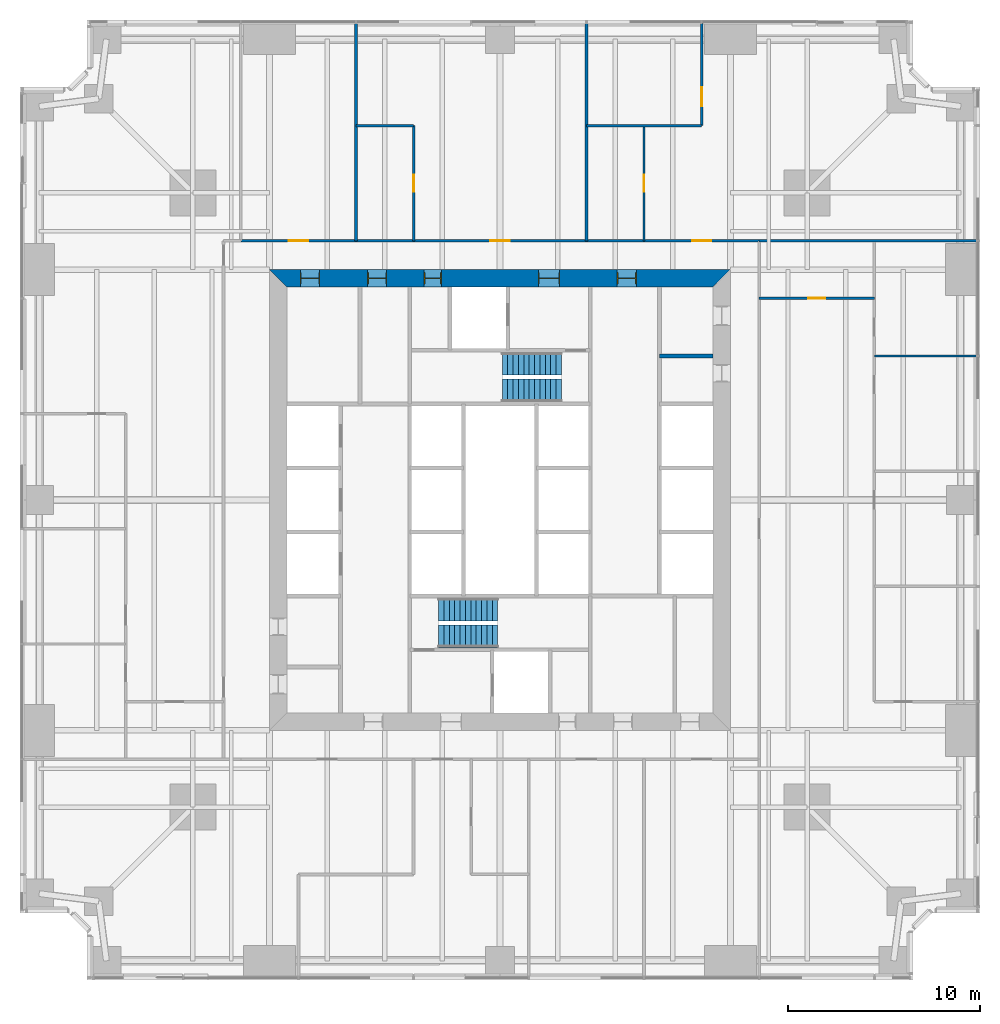
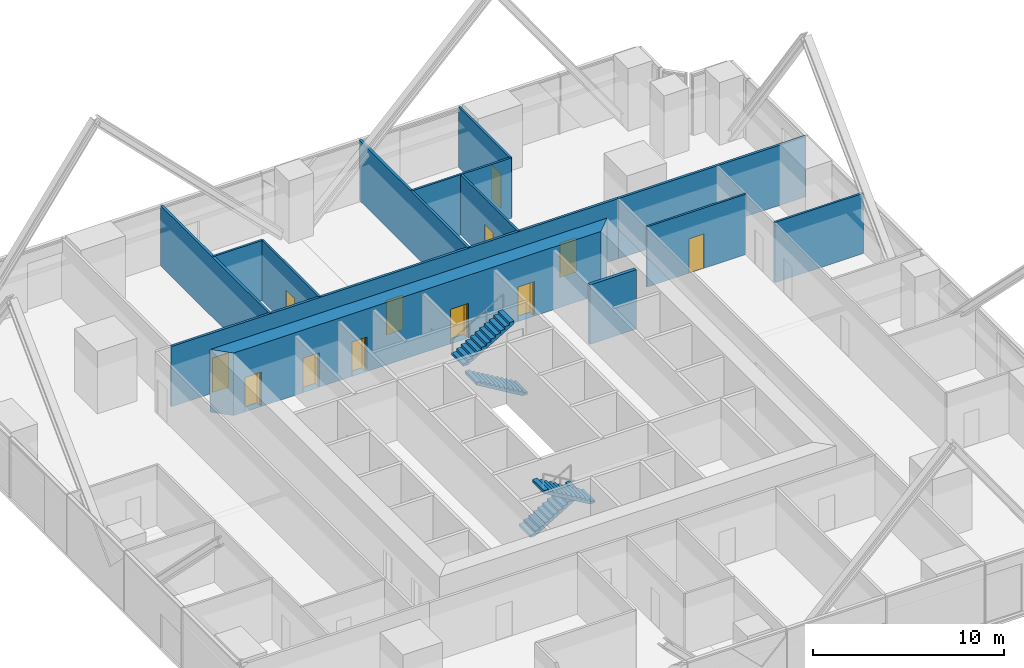
# One storey, part 11 of 13: 13 walls, 12 doors, 4 stair flights, 12 openings, 2 elements without a shape of their own.
"""IFC4 building model written with IfcOpenShell, lengths in metres."""

from ifc_helpers import new_model, si_unit, direction, frame, frame_2d, origin, place, context, subcontext, project, spatial, polyline, rectangle, outline, extrude, material, layer, layer_set, type_object, element, fill, aggregate, save


model = new_model("IFC4")

# Units and contexts
model_context = context("Model", 3, precision=1e-05, world=origin(), true_north=direction((0.0, 1.0)))
body_context = subcontext(model_context, "Body", "Model", "MODEL_VIEW")
ifc_project = project(units=[si_unit("LENGTHUNIT", "METRE"), si_unit("AREAUNIT", "SQUARE_METRE"), si_unit("VOLUMEUNIT", "CUBIC_METRE"), si_unit("PLANEANGLEUNIT", "RADIAN"), si_unit("MASSUNIT", "GRAM", prefix="KILO")], contexts=[model_context])

# Site, building, storey
site_placement = place(None, origin())
site = spatial("IfcSite", under=ifc_project, at=site_placement, CompositionType="ELEMENT")
building_placement = place(site_placement, origin())
building = spatial("IfcBuilding", under=site, at=building_placement, Name="Fenwick Lantern Interchange", CompositionType="ELEMENT")
storey_placement = place(building_placement, frame((0.0, 0.0, 43.0)))
storey = spatial("IfcBuildingStorey", under=building, at=storey_placement, Name="L09", CompositionType="ELEMENT", Elevation=43.0)

# Wall
ifc_material_1 = material(Name="Concrete masonry ASTM C90 Grade N", Category="masonry")
ifc_layer_1 = layer(ifc_material_1, 0.199951171875)
ifc_layer_set_1 = layer_set([ifc_layer_1], Name="Concrete masonry ASTM C90 Grade N")
wall_type_1 = type_object("IfcWallType", Name="CORE PARTITION 200", PredefinedType="PARTITIONING", material=ifc_layer_set_1)
wall_1_placement = place(storey_placement, frame((36.10009765625, 32.5, 0.0), z_axis=(0.0, 0.0, 1.0), x_axis=(-1.0, 0.0, 0.0)))
element("IfcWall", 1, at=wall_1_placement, inside=storey, type_object=wall_type_1, Name="L09/W/COREN/p1", PredefinedType="PARTITIONING", context=body_context, shape_type="SweptSolid", body=[
    extrude(rectangle(XDim=2.800048828125, YDim=0.199951171875, at=frame_2d((1.39990234375, 0.0))), origin(), (0.0, 0.0, 1.0), 3.800048828125),
])

# Wall, openings, doors
ifc_material_2 = material(Name="Concrete f'c 70 MPa", Category="concrete")
ifc_layer_2 = layer(ifc_material_2, 0.89990234375)
ifc_layer_set_2 = layer_set([ifc_layer_2], Name="CORE WALL 900")
wall_type_2 = type_object("IfcWallType", Name="CORE WALL 900", PredefinedType="SHEAR", material=ifc_layer_set_2)
wall_2_placement = place(storey_placement, frame((37.0, 36.550048828125, 0.0), z_axis=(0.0, 0.0, 1.0), x_axis=(-1.0, 0.0, 0.0)))
wall_2 = element("IfcWall", 2, at=wall_2_placement, inside=storey, type_object=wall_type_2, Name="L09/CORE/N", PredefinedType="SHEAR", context=body_context, shape_type="SweptSolid", body=[
    extrude(outline(polyline([(0.0, -0.449951171875), (24.0, -0.449951171875), (23.10009765625, 0.449951171875), (0.89990234375, 0.449951171875), (0.0, -0.449951171875)])), origin(), (0.0, 0.0, 1.0), 4.0),
])
opening_1_placement = place(wall_2_placement, frame((4.89990234375, 0.0, 0.0)))
opening_1 = element("IfcOpeningElement", 3, at=opening_1_placement, cuts=wall_2, Name="Opening L09-D009", PredefinedType="OPENING", context=body_context, shape_type="SweptSolid", body=[
    extrude(rectangle(XDim=1.0, YDim=2.199951171875, at=frame_2d((0.5, 1.10009765625))), frame((0.0, 0.4599609375, 0.0), z_axis=(0.0, -1.0, 0.0), x_axis=(1.0, 0.0, 0.0)), (0.0, 0.0, 1.0), 0.919921875),
])
opening_2_placement = place(wall_2_placement, frame((8.89990234375, 0.0, 0.0)))
opening_2 = element("IfcOpeningElement", 4, at=opening_2_placement, cuts=wall_2, Name="Opening L09-D010", PredefinedType="OPENING", context=body_context, shape_type="SweptSolid", body=[
    extrude(rectangle(XDim=1.10009765625, YDim=2.199951171875, at=frame_2d((0.550048828125, 1.10009765625))), frame((0.0, 0.4599609375, 0.0), z_axis=(0.0, -1.0, 0.0), x_axis=(1.0, 0.0, 0.0)), (0.0, 0.0, 1.0), 0.919921875),
])
opening_3_placement = place(wall_2_placement, frame((15.050048828125, 0.0, 0.0)))
opening_3 = element("IfcOpeningElement", 5, at=opening_3_placement, cuts=wall_2, Name="Opening L09-D012", PredefinedType="OPENING", context=body_context, shape_type="SweptSolid", body=[
    extrude(rectangle(XDim=0.89990234375, YDim=2.199951171875, at=frame_2d((0.449951171875, 1.10009765625))), frame((0.0, 0.4599609375, 0.0), z_axis=(0.0, -1.0, 0.0), x_axis=(1.0, 0.0, 0.0)), (0.0, 0.0, 1.0), 0.919921875),
])
opening_4_placement = place(wall_2_placement, frame((17.89990234375, 0.0, 0.0)))
opening_4 = element("IfcOpeningElement", 6, at=opening_4_placement, cuts=wall_2, Name="Opening L09-D013", PredefinedType="OPENING", context=body_context, shape_type="SweptSolid", body=[
    extrude(rectangle(XDim=1.0, YDim=2.199951171875, at=frame_2d((0.5, 1.10009765625))), frame((0.0, 0.4599609375, 0.0), z_axis=(0.0, -1.0, 0.0), x_axis=(1.0, 0.0, 0.0)), (0.0, 0.0, 1.0), 0.919921875),
])
opening_5_placement = place(wall_2_placement, frame((21.39990234375, 0.0, 0.0)))
opening_5 = element("IfcOpeningElement", 7, at=opening_5_placement, cuts=wall_2, Name="Opening L09-D014", PredefinedType="OPENING", context=body_context, shape_type="SweptSolid", body=[
    extrude(rectangle(XDim=1.0, YDim=2.199951171875, at=frame_2d((0.5, 1.10009765625))), frame((0.0, 0.4599609375, 0.0), z_axis=(0.0, -1.0, 0.0), x_axis=(1.0, 0.0, 0.0)), (0.0, 0.0, 1.0), 0.919921875),
])
ifc_material_3 = material(Name="Steel door and frame", Category="steel")
door_type_1 = type_object("IfcDoorType", Name="CORE LOBBY DOOR 1000 X 2200", OperationType="SINGLE_SWING_LEFT", PredefinedType="DOOR", material=ifc_material_3)
door_1_placement = place(opening_1_placement, origin())
door_1 = element("IfcDoor", 8, at=door_1_placement, inside=storey, type_object=door_type_1, Name="Core lobby door", OperationType="SINGLE_SWING_LEFT", OverallHeight=2.199951171875, OverallWidth=1.0, PredefinedType="DOOR", context=body_context, shape_type="SweptSolid", body=[
    extrude(rectangle(XDim=1.0, YDim=2.199951171875, at=frame_2d((0.5, 1.10009765625))), frame((0.0, 0.02490234375, 0.0), z_axis=(0.0, -1.0, 0.0), x_axis=(1.0, 0.0, 0.0)), (0.0, 0.0, 1.0), 0.050048828125),
    extrude(outline(polyline([(0.0, 0.0), (0.0400390625, 0.0), (0.0400390625, 2.159912109375), (0.9599609375, 2.159912109375), (0.9599609375, 0.0), (1.0, 0.0), (1.0, 2.199951171875), (0.0, 2.199951171875), (0.0, 0.0)])), frame((0.0, 0.300048828125, 0.0), z_axis=(0.0, -1.0, 0.0), x_axis=(1.0, 0.0, 0.0)), (0.0, 0.0, 1.0), 0.60009765625),
])
fill(opening_1, door_1)
door_type_2 = type_object("IfcDoorType", Name="FIRE LOBBY DOOR 1100 X 2200", OperationType="SINGLE_SWING_LEFT", PredefinedType="DOOR", material=ifc_material_3)
door_2_placement = place(opening_2_placement, origin())
door_2 = element("IfcDoor", 9, at=door_2_placement, inside=storey, type_object=door_type_2, Name="Fire lobby door", OperationType="SINGLE_SWING_LEFT", OverallHeight=2.199951171875, OverallWidth=1.10009765625, PredefinedType="DOOR", context=body_context, shape_type="SweptSolid", body=[
    extrude(rectangle(XDim=1.10009765625, YDim=2.199951171875, at=frame_2d((0.550048828125, 1.10009765625))), frame((0.0, 0.02490234375, 0.0), z_axis=(0.0, -1.0, 0.0), x_axis=(1.0, 0.0, 0.0)), (0.0, 0.0, 1.0), 0.050048828125),
    extrude(outline(polyline([(0.0, 0.0), (0.0400390625, 0.0), (0.0400390625, 2.159912109375), (1.06005859375, 2.159912109375), (1.06005859375, 0.0), (1.10009765625, 0.0), (1.10009765625, 2.199951171875), (0.0, 2.199951171875), (0.0, 0.0)])), frame((0.0, 0.300048828125, 0.0), z_axis=(0.0, -1.0, 0.0), x_axis=(1.0, 0.0, 0.0)), (0.0, 0.0, 1.0), 0.60009765625),
])
fill(opening_2, door_2)
door_type_3 = type_object("IfcDoorType", Name="SERVICE DOOR 900 X 2200", OperationType="SINGLE_SWING_LEFT", PredefinedType="DOOR", material=ifc_material_3)
door_3_placement = place(opening_3_placement, origin())
door_3 = element("IfcDoor", 10, at=door_3_placement, inside=storey, type_object=door_type_3, Name="Service door", OperationType="SINGLE_SWING_LEFT", OverallHeight=2.199951171875, OverallWidth=0.89990234375, PredefinedType="DOOR", context=body_context, shape_type="SweptSolid", body=[
    extrude(rectangle(XDim=0.89990234375, YDim=2.199951171875, at=frame_2d((0.449951171875, 1.10009765625))), frame((0.0, 0.02490234375, 0.0), z_axis=(0.0, -1.0, 0.0), x_axis=(1.0, 0.0, 0.0)), (0.0, 0.0, 1.0), 0.050048828125),
    extrude(outline(polyline([(0.0, 0.0), (0.0400390625, 0.0), (0.0400390625, 2.159912109375), (0.85986328125, 2.159912109375), (0.85986328125, 0.0), (0.89990234375, 0.0), (0.89990234375, 2.199951171875), (0.0, 2.199951171875), (0.0, 0.0)])), frame((0.0, 0.300048828125, 0.0), z_axis=(0.0, -1.0, 0.0), x_axis=(1.0, 0.0, 0.0)), (0.0, 0.0, 1.0), 0.60009765625),
])
fill(opening_3, door_3)
ifc_material_4 = material(Name="Hardwood door and steel frame", Category="steel")
door_type_4 = type_object("IfcDoorType", Name="WC DOOR 1000 X 2200", OperationType="SINGLE_SWING_LEFT", PredefinedType="DOOR", material=ifc_material_4)
door_4_placement = place(opening_4_placement, origin())
door_4 = element("IfcDoor", 11, at=door_4_placement, inside=storey, type_object=door_type_4, Name="Wc door", OperationType="SINGLE_SWING_RIGHT", OverallHeight=2.199951171875, OverallWidth=1.0, PredefinedType="DOOR", context=body_context, shape_type="SweptSolid", body=[
    extrude(rectangle(XDim=1.0, YDim=2.199951171875, at=frame_2d((0.5, 1.10009765625))), frame((0.0, 0.02490234375, 0.0), z_axis=(0.0, -1.0, 0.0), x_axis=(1.0, 0.0, 0.0)), (0.0, 0.0, 1.0), 0.050048828125),
    extrude(outline(polyline([(0.0, 0.0), (0.0400390625, 0.0), (0.0400390625, 2.159912109375), (0.9599609375, 2.159912109375), (0.9599609375, 0.0), (1.0, 0.0), (1.0, 2.199951171875), (0.0, 2.199951171875), (0.0, 0.0)])), frame((0.0, 0.300048828125, 0.0), z_axis=(0.0, -1.0, 0.0), x_axis=(1.0, 0.0, 0.0)), (0.0, 0.0, 1.0), 0.60009765625),
])
fill(opening_4, door_4)
door_5_placement = place(opening_5_placement, origin())
door_5 = element("IfcDoor", 12, at=door_5_placement, inside=storey, type_object=door_type_4, Name="Wc door", OperationType="SINGLE_SWING_RIGHT", OverallHeight=2.199951171875, OverallWidth=1.0, PredefinedType="DOOR", context=body_context, shape_type="SweptSolid", body=[
    extrude(rectangle(XDim=1.0, YDim=2.199951171875, at=frame_2d((0.5, 1.10009765625))), frame((0.0, 0.02490234375, 0.0), z_axis=(0.0, -1.0, 0.0), x_axis=(1.0, 0.0, 0.0)), (0.0, 0.0, 1.0), 0.050048828125),
    extrude(outline(polyline([(0.0, 0.0), (0.0400390625, 0.0), (0.0400390625, 2.159912109375), (0.9599609375, 2.159912109375), (0.9599609375, 0.0), (1.0, 0.0), (1.0, 2.199951171875), (0.0, 2.199951171875), (0.0, 0.0)])), frame((0.0, 0.300048828125, 0.0), z_axis=(0.0, -1.0, 0.0), x_axis=(1.0, 0.0, 0.0)), (0.0, 0.0, 1.0), 0.60009765625),
])
fill(opening_5, door_5)

ifc_material_5 = material(Name="Gypsum board on steel studs, 1 hour", Category="steel")
ifc_layer_3 = layer(ifc_material_5, 0.14990234375)
ifc_layer_set_3 = layer_set([ifc_layer_3], Name="CORRIDOR WALL 150")
wall_type_3 = type_object("IfcWallType", Name="CORRIDOR WALL 150", PredefinedType="PARTITIONING", material=ifc_layer_set_3)
wall_3_placement = place(storey_placement, frame((38.5, 38.5, 0.0), z_axis=(0.0, 0.0, 1.0), x_axis=(-1.0, 0.0, 0.0)))
wall_3 = element("IfcWall", 13, at=wall_3_placement, inside=storey, type_object=wall_type_3, Name="L09/W/OFF/N/CW", PredefinedType="PARTITIONING", context=body_context, shape_type="SweptSolid", body=[
    extrude(rectangle(XDim=27.0, YDim=0.14990234375, at=frame_2d((13.5, 0.0))), origin(), (0.0, 0.0, 1.0), 3.85009765625),
])
opening_6_placement = place(wall_3_placement, frame((2.5, 0.0, 0.0)))
opening_6 = element("IfcOpeningElement", 14, at=opening_6_placement, cuts=wall_3, Name="Opening L09-D028", PredefinedType="OPENING", context=body_context, shape_type="SweptSolid", body=[
    extrude(rectangle(XDim=1.0, YDim=2.199951171875, at=frame_2d((0.5, 1.10009765625))), frame((0.0, 0.0849609375, 0.0), z_axis=(0.0, -1.0, 0.0), x_axis=(1.0, 0.0, 0.0)), (0.0, 0.0, 1.0), 0.169921875),
])
opening_7_placement = place(wall_3_placement, frame((13.0, 0.0, 0.0)))
opening_7 = element("IfcOpeningElement", 15, at=opening_7_placement, cuts=wall_3, Name="Opening L09-D031", PredefinedType="OPENING", context=body_context, shape_type="SweptSolid", body=[
    extrude(rectangle(XDim=1.0, YDim=2.199951171875, at=frame_2d((0.5, 1.10009765625))), frame((0.0, 0.0849609375, 0.0), z_axis=(0.0, -1.0, 0.0), x_axis=(1.0, 0.0, 0.0)), (0.0, 0.0, 1.0), 0.169921875),
])
opening_8_placement = place(wall_3_placement, frame((23.5, 0.0, 0.0)))
opening_8 = element("IfcOpeningElement", 16, at=opening_8_placement, cuts=wall_3, Name="Opening L09-D033", PredefinedType="OPENING", context=body_context, shape_type="SweptSolid", body=[
    extrude(rectangle(XDim=1.0, YDim=2.199951171875, at=frame_2d((0.5, 1.10009765625))), frame((0.0, 0.0849609375, 0.0), z_axis=(0.0, -1.0, 0.0), x_axis=(1.0, 0.0, 0.0)), (0.0, 0.0, 1.0), 0.169921875),
])
door_type_5 = type_object("IfcDoorType", Name="SUITE ENTRANCE DOOR 1000 X 2200", OperationType="SINGLE_SWING_LEFT", PredefinedType="DOOR", material=ifc_material_3)
door_6_placement = place(opening_6_placement, frame((1.0, 0.0, 0.0), z_axis=(0.0, 0.0, 1.0), x_axis=(-1.0, 0.0, 0.0)))
door_6 = element("IfcDoor", 17, at=door_6_placement, inside=storey, type_object=door_type_5, Name="Suite entrance door", OperationType="SINGLE_SWING_LEFT", OverallHeight=2.199951171875, OverallWidth=1.0, PredefinedType="DOOR", context=body_context, shape_type="SweptSolid", body=[
    extrude(rectangle(XDim=1.0, YDim=2.199951171875, at=frame_2d((0.5, 1.10009765625))), frame((0.0, 0.02490234375, 0.0), z_axis=(0.0, -1.0, 0.0), x_axis=(1.0, 0.0, 0.0)), (0.0, 0.0, 1.0), 0.050048828125),
])
fill(opening_6, door_6)
door_7_placement = place(opening_7_placement, frame((1.0, 0.0, 0.0), z_axis=(0.0, 0.0, 1.0), x_axis=(-1.0, 0.0, 0.0)))
door_7 = element("IfcDoor", 18, at=door_7_placement, inside=storey, type_object=door_type_5, Name="Suite entrance door", OperationType="SINGLE_SWING_RIGHT", OverallHeight=2.199951171875, OverallWidth=1.0, PredefinedType="DOOR", context=body_context, shape_type="SweptSolid", body=[
    extrude(rectangle(XDim=1.0, YDim=2.199951171875, at=frame_2d((0.5, 1.10009765625))), frame((0.0, 0.02490234375, 0.0), z_axis=(0.0, -1.0, 0.0), x_axis=(1.0, 0.0, 0.0)), (0.0, 0.0, 1.0), 0.050048828125),
])
fill(opening_7, door_7)
door_8_placement = place(opening_8_placement, frame((1.0, 0.0, 0.0), z_axis=(0.0, 0.0, 1.0), x_axis=(-1.0, 0.0, 0.0)))
door_8 = element("IfcDoor", 19, at=door_8_placement, inside=storey, type_object=door_type_5, Name="Suite entrance door", OperationType="SINGLE_SWING_RIGHT", OverallHeight=2.199951171875, OverallWidth=1.0, PredefinedType="DOOR", context=body_context, shape_type="SweptSolid", body=[
    extrude(rectangle(XDim=1.0, YDim=2.199951171875, at=frame_2d((0.5, 1.10009765625))), frame((0.0, 0.02490234375, 0.0), z_axis=(0.0, -1.0, 0.0), x_axis=(1.0, 0.0, 0.0)), (0.0, 0.0, 1.0), 0.050048828125),
])
fill(opening_8, door_8)

# Wall
ifc_material_6 = material(Name="Gypsum board on steel studs, acoustic", Category="steel")
ifc_layer_4 = layer(ifc_material_6, 0.125)
ifc_layer_set_4 = layer_set([ifc_layer_4], Name="OFFICE PARTITION 125")
wall_type_4 = type_object("IfcWallType", Name="OFFICE PARTITION 125", PredefinedType="PARTITIONING", material=ifc_layer_set_4)
wall_4_placement = place(storey_placement, frame((49.85009765625, 32.5, 0.0), z_axis=(0.0, 0.0, 1.0), x_axis=(-1.0, 0.0, 0.0)))
element("IfcWall", 20, at=wall_4_placement, inside=storey, type_object=wall_type_4, Name="L09/W/OFF/E/X325-1", PredefinedType="PARTITIONING", context=body_context, shape_type="SweptSolid", body=[
    extrude(rectangle(XDim=5.35009765625, YDim=0.125, at=frame_2d((2.675048828125, 0.0))), origin(), (0.0, 0.0, 1.0), 3.85009765625),
])

# Wall, opening, door
wall_5_placement = place(storey_placement, frame((44.5, 35.5, 0.0), z_axis=(0.0, 0.0, 1.0), x_axis=(-1.0, 0.0, 0.0)))
wall_5 = element("IfcWall", 21, at=wall_5_placement, inside=storey, type_object=wall_type_4, Name="L09/W/OFF/E/X355-1", PredefinedType="PARTITIONING", context=body_context, shape_type="SweptSolid", body=[
    extrude(rectangle(XDim=6.0, YDim=0.125, at=frame_2d((3.0, 0.0))), origin(), (0.0, 0.0, 1.0), 3.85009765625),
])
opening_9_placement = place(wall_5_placement, frame((2.550048828125, 0.0, 0.0)))
opening_9 = element("IfcOpeningElement", 22, at=opening_9_placement, cuts=wall_5, Name="Opening L09-D027", PredefinedType="OPENING", context=body_context, shape_type="SweptSolid", body=[
    extrude(rectangle(XDim=0.89990234375, YDim=2.199951171875, at=frame_2d((0.449951171875, 1.10009765625))), frame((0.0, 0.072509765625, 0.0), z_axis=(0.0, -1.0, 0.0), x_axis=(1.0, 0.0, 0.0)), (0.0, 0.0, 1.0), 0.14501953125),
])
door_type_6 = type_object("IfcDoorType", Name="OFFICE DOOR 900 X 2200", OperationType="SINGLE_SWING_LEFT", PredefinedType="DOOR", material=ifc_material_4)
door_9_placement = place(opening_9_placement, frame((0.89990234375, 0.0, 0.0), z_axis=(0.0, 0.0, 1.0), x_axis=(-1.0, 0.0, 0.0)))
door_9 = element("IfcDoor", 23, at=door_9_placement, inside=storey, type_object=door_type_6, Name="Office door", OperationType="SINGLE_SWING_RIGHT", OverallHeight=2.199951171875, OverallWidth=0.89990234375, PredefinedType="DOOR", context=body_context, shape_type="SweptSolid", body=[
    extrude(rectangle(XDim=0.89990234375, YDim=2.199951171875, at=frame_2d((0.449951171875, 1.10009765625))), frame((0.0, 0.02490234375, 0.0), z_axis=(0.0, -1.0, 0.0), x_axis=(1.0, 0.0, 0.0)), (0.0, 0.0, 1.0), 0.050048828125),
])
fill(opening_9, door_9)

wall_6_placement = place(storey_placement, frame((35.5, 49.85009765625, 0.0), z_axis=(0.0, 0.0, 1.0), x_axis=(0.0, -1.0, 0.0)))
wall_6 = element("IfcWall", 24, at=wall_6_placement, inside=storey, type_object=wall_type_4, Name="L09/W/OFF/N/X145-1", PredefinedType="PARTITIONING", context=body_context, shape_type="SweptSolid", body=[
    extrude(rectangle(XDim=5.35009765625, YDim=0.125, at=frame_2d((2.675048828125, 0.0))), origin(), (0.0, 0.0, 1.0), 3.85009765625),
])
opening_10_placement = place(wall_6_placement, frame((3.35009765625, 0.0, 0.0)))
opening_10 = element("IfcOpeningElement", 25, at=opening_10_placement, cuts=wall_6, Name="Opening L09-D029", PredefinedType="OPENING", context=body_context, shape_type="SweptSolid", body=[
    extrude(rectangle(XDim=1.0, YDim=2.199951171875, at=frame_2d((0.5, 1.10009765625))), frame((0.0, 0.072509765625, 0.0), z_axis=(0.0, -1.0, 0.0), x_axis=(1.0, 0.0, 0.0)), (0.0, 0.0, 1.0), 0.14501953125),
])
door_type_7 = type_object("IfcDoorType", Name="MEETING ROOM DOOR 1000 X 2200", OperationType="SINGLE_SWING_LEFT", PredefinedType="DOOR", material=ifc_material_4)
door_10_placement = place(opening_10_placement, frame((1.0, 0.0, 0.0), z_axis=(0.0, 0.0, 1.0), x_axis=(-1.0, 0.0, 0.0)))
door_10 = element("IfcDoor", 26, at=door_10_placement, inside=storey, type_object=door_type_7, Name="Meeting room door", OperationType="SINGLE_SWING_LEFT", OverallHeight=2.199951171875, OverallWidth=1.0, PredefinedType="DOOR", context=body_context, shape_type="SweptSolid", body=[
    extrude(rectangle(XDim=1.0, YDim=2.199951171875, at=frame_2d((0.5, 1.10009765625))), frame((0.0, 0.02490234375, 0.0), z_axis=(0.0, -1.0, 0.0), x_axis=(1.0, 0.0, 0.0)), (0.0, 0.0, 1.0), 0.050048828125),
])
fill(opening_10, door_10)

wall_7_placement = place(storey_placement, frame((32.5, 44.5, 0.0), z_axis=(0.0, 0.0, 1.0), x_axis=(0.0, -1.0, 0.0)))
wall_7 = element("IfcWall", 27, at=wall_7_placement, inside=storey, type_object=wall_type_4, Name="L09/W/OFF/N/X175-1", PredefinedType="PARTITIONING", context=body_context, shape_type="SweptSolid", body=[
    extrude(rectangle(XDim=6.0, YDim=0.125, at=frame_2d((3.0, 0.0))), origin(), (0.0, 0.0, 1.0), 3.85009765625),
])
opening_11_placement = place(wall_7_placement, frame((2.550048828125, 0.0, 0.0)))
opening_11 = element("IfcOpeningElement", 28, at=opening_11_placement, cuts=wall_7, Name="Opening L09-D030", PredefinedType="OPENING", context=body_context, shape_type="SweptSolid", body=[
    extrude(rectangle(XDim=0.89990234375, YDim=2.199951171875, at=frame_2d((0.449951171875, 1.10009765625))), frame((0.0, 0.072509765625, 0.0), z_axis=(0.0, -1.0, 0.0), x_axis=(1.0, 0.0, 0.0)), (0.0, 0.0, 1.0), 0.14501953125),
])
door_11_placement = place(opening_11_placement, frame((0.89990234375, 0.0, 0.0), z_axis=(0.0, 0.0, 1.0), x_axis=(-1.0, 0.0, 0.0)))
door_11 = element("IfcDoor", 29, at=door_11_placement, inside=storey, type_object=door_type_6, Name="Office door", OperationType="SINGLE_SWING_RIGHT", OverallHeight=2.199951171875, OverallWidth=0.89990234375, PredefinedType="DOOR", context=body_context, shape_type="SweptSolid", body=[
    extrude(rectangle(XDim=0.89990234375, YDim=2.199951171875, at=frame_2d((0.449951171875, 1.10009765625))), frame((0.0, 0.02490234375, 0.0), z_axis=(0.0, -1.0, 0.0), x_axis=(1.0, 0.0, 0.0)), (0.0, 0.0, 1.0), 0.050048828125),
])
fill(opening_11, door_11)

wall_8_placement = place(storey_placement, frame((20.5, 44.5, 0.0), z_axis=(0.0, 0.0, 1.0), x_axis=(0.0, -1.0, 0.0)))
wall_8 = element("IfcWall", 30, at=wall_8_placement, inside=storey, type_object=wall_type_4, Name="L09/W/OFF/N/X295-1", PredefinedType="PARTITIONING", context=body_context, shape_type="SweptSolid", body=[
    extrude(rectangle(XDim=6.0, YDim=0.125, at=frame_2d((3.0, 0.0))), origin(), (0.0, 0.0, 1.0), 3.85009765625),
])
opening_12_placement = place(wall_8_placement, frame((2.550048828125, 0.0, 0.0)))
opening_12 = element("IfcOpeningElement", 31, at=opening_12_placement, cuts=wall_8, Name="Opening L09-D032", PredefinedType="OPENING", context=body_context, shape_type="SweptSolid", body=[
    extrude(rectangle(XDim=0.89990234375, YDim=2.199951171875, at=frame_2d((0.449951171875, 1.10009765625))), frame((0.0, 0.072509765625, 0.0), z_axis=(0.0, -1.0, 0.0), x_axis=(1.0, 0.0, 0.0)), (0.0, 0.0, 1.0), 0.14501953125),
])
door_12_placement = place(opening_12_placement, frame((0.89990234375, 0.0, 0.0), z_axis=(0.0, 0.0, 1.0), x_axis=(-1.0, 0.0, 0.0)))
door_12 = element("IfcDoor", 32, at=door_12_placement, inside=storey, type_object=door_type_6, Name="Office door", OperationType="SINGLE_SWING_RIGHT", OverallHeight=2.199951171875, OverallWidth=0.89990234375, PredefinedType="DOOR", context=body_context, shape_type="SweptSolid", body=[
    extrude(rectangle(XDim=0.89990234375, YDim=2.199951171875, at=frame_2d((0.449951171875, 1.10009765625))), frame((0.0, 0.02490234375, 0.0), z_axis=(0.0, -1.0, 0.0), x_axis=(1.0, 0.0, 0.0)), (0.0, 0.0, 1.0), 0.050048828125),
])
fill(opening_12, door_12)

# Walls
wall_9_placement = place(storey_placement, frame((35.5, 44.5, 0.0), z_axis=(0.0, 0.0, 1.0), x_axis=(-1.0, 0.0, 0.0)))
element("IfcWall", 33, at=wall_9_placement, inside=storey, type_object=wall_type_4, Name="L09/W/OFF/N/Y55-1", PredefinedType="PARTITIONING", context=body_context, shape_type="SweptSolid", body=[
    extrude(rectangle(XDim=6.0, YDim=0.125, at=frame_2d((3.0, 0.0))), origin(), (0.0, 0.0, 1.0), 3.85009765625),
])
wall_10_placement = place(storey_placement, frame((20.5, 44.5, 0.0), z_axis=(0.0, 0.0, 1.0), x_axis=(-1.0, 0.0, 0.0)))
element("IfcWall", 34, at=wall_10_placement, inside=storey, type_object=wall_type_4, Name="L09/W/OFF/N/Y55-2", PredefinedType="PARTITIONING", context=body_context, shape_type="SweptSolid", body=[
    extrude(rectangle(XDim=3.0, YDim=0.125, at=frame_2d((1.5, 0.0))), origin(), (0.0, 0.0, 1.0), 3.85009765625),
])
ifc_material_7 = material(Name="Gypsum board on steel studs, 1 hour acoustic", Category="steel")
ifc_layer_5 = layer(ifc_material_7, 0.14990234375)
ifc_layer_set_5 = layer_set([ifc_layer_5], Name="TENANT WALL 150")
wall_type_5 = type_object("IfcWallType", Name="TENANT WALL 150", PredefinedType="PARTITIONING", material=ifc_layer_set_5)
for number, where, z_axis, x_axis, name in (
    (35, (49.85009765625, 38.5, 0.0), (0.0, 0.0, 1.0), (-1.0, 0.0, 0.0), "L09/W/OFF/N/BACK"),
    (36, (29.5, 49.85009765625, 0.0), (0.0, 0.0, 1.0), (0.0, -1.0, 0.0), "L09/W/OFF/N/X205-1"),
    (37, (17.5, 49.85009765625, 0.0), (0.0, 0.0, 1.0), (0.0, -1.0, 0.0), "L09/W/OFF/N/X325-1"),
):
    element("IfcWall", number, at=place(storey_placement, frame(where, z_axis=z_axis, x_axis=x_axis)), inside=storey, type_object=wall_type_5, Name=name, PredefinedType="PARTITIONING", context=body_context, shape_type="SweptSolid", body=[
        extrude(rectangle(XDim=11.35009765625, YDim=0.14990234375, at=frame_2d((5.675048828125, 0.0))), origin(), (0.0, 0.0, 1.0), 3.85009765625),
    ])

# Stair, stair flights
ifc_material_8 = material(Name="Precast concrete f'c 35 MPa", Category="concrete")
stair_type = type_object("IfcStairType", Name="EXIT STAIR 1200", PredefinedType="HALF_TURN_STAIR", material=ifc_material_8)
stair_1_placement = place(storey_placement, origin())
stair_1 = element("IfcStair", 38, at=stair_1_placement, inside=storey, type_object=stair_type, Name="Exit stair ST1", PredefinedType="HALF_TURN_STAIR")
stair_flight_type = type_object("IfcStairFlightType", Name="STAIR FLIGHT 1200", PredefinedType="STRAIGHT", material=ifc_material_8)
stair_flight_1_placement = place(storey_placement, frame((21.800048828125, 19.300048828125, 0.0), z_axis=(0.0, 0.0, 1.0), x_axis=(1.0, 0.0, 0.0)))
stair_flight_1 = element("IfcStairFlight", 39, at=stair_flight_1_placement, type_object=stair_flight_type, Name="ST1 flight 1", NumberOfRisers=12, NumberOfTreads=11, PredefinedType="STRAIGHT", RiserHeight=0.166666667, TreadLength=0.28, context=body_context, shape_type="SweptSolid", body=[
    extrude(outline(polyline([(0.0, 0.0), (0.0, 0.166748046875), (0.280029296875, 0.166748046875), (0.280029296875, 0.333251953125), (0.56005859375, 0.333251953125), (0.56005859375, 0.5), (0.840087890625, 0.5), (0.840087890625, 0.666748046875), (1.1201171875, 0.666748046875), (1.1201171875, 0.833251953125), (1.39990234375, 0.833251953125), (1.39990234375, 1.0), (1.679931640625, 1.0), (1.679931640625, 1.166748046875), (1.9599609375, 1.166748046875), (1.9599609375, 1.333251953125), (2.239990234375, 1.333251953125), (2.239990234375, 1.5), (2.52001953125, 1.5), (2.52001953125, 1.666748046875), (2.800048828125, 1.666748046875), (2.800048828125, 1.833251953125), (3.080078125, 1.833251953125), (3.080078125, 2.0), (3.080078125, 1.658935546875), (0.29296875, 0.0), (0.0, 0.0)])), frame((0.0, 0.60009765625, 0.0), z_axis=(0.0, -1.0, 0.0), x_axis=(1.0, 0.0, 0.0)), (0.0, 0.0, 1.0), 1.199951171875),
])
stair_flight_2_placement = place(storey_placement, frame((24.8798828125, 17.89990234375, 2.0), z_axis=(0.0, 0.0, 1.0), x_axis=(-1.0, 0.0, 0.0)))
stair_flight_2 = element("IfcStairFlight", 40, at=stair_flight_2_placement, type_object=stair_flight_type, Name="ST1 flight 2", NumberOfRisers=12, NumberOfTreads=11, PredefinedType="STRAIGHT", RiserHeight=0.166666667, TreadLength=0.28, context=body_context, shape_type="SweptSolid", body=[
    extrude(outline(polyline([(0.0, 0.0), (0.0, 0.166748046875), (0.280029296875, 0.166748046875), (0.280029296875, 0.333251953125), (0.56005859375, 0.333251953125), (0.56005859375, 0.5), (0.840087890625, 0.5), (0.840087890625, 0.666748046875), (1.1201171875, 0.666748046875), (1.1201171875, 0.833251953125), (1.39990234375, 0.833251953125), (1.39990234375, 1.0), (1.679931640625, 1.0), (1.679931640625, 1.166748046875), (1.9599609375, 1.166748046875), (1.9599609375, 1.333251953125), (2.239990234375, 1.333251953125), (2.239990234375, 1.5), (2.52001953125, 1.5), (2.52001953125, 1.666748046875), (2.800048828125, 1.666748046875), (2.800048828125, 1.833251953125), (3.080078125, 1.833251953125), (3.080078125, 2.0), (3.080078125, 1.658935546875), (0.29296875, 0.0), (0.0, 0.0)])), frame((0.0, 0.60009765625, 0.0), z_axis=(0.0, -1.0, 0.0), x_axis=(1.0, 0.0, 0.0)), (0.0, 0.0, 1.0), 1.199951171875),
])
aggregate(stair_1, [stair_flight_1, stair_flight_2])

stair_2_placement = place(storey_placement, origin())
stair_2 = element("IfcStair", 41, at=stair_2_placement, inside=storey, type_object=stair_type, Name="Exit stair ST2", PredefinedType="HALF_TURN_STAIR")
stair_flight_3_placement = place(storey_placement, frame((28.199951171875, 30.699951171875, 0.0), z_axis=(0.0, 0.0, 1.0), x_axis=(-1.0, 0.0, 0.0)))
stair_flight_3 = element("IfcStairFlight", 42, at=stair_flight_3_placement, type_object=stair_flight_type, Name="ST2 flight 1", NumberOfRisers=12, NumberOfTreads=11, PredefinedType="STRAIGHT", RiserHeight=0.166666667, TreadLength=0.28, context=body_context, shape_type="SweptSolid", body=[
    extrude(outline(polyline([(0.0, 0.0), (0.0, 0.166748046875), (0.280029296875, 0.166748046875), (0.280029296875, 0.333251953125), (0.56005859375, 0.333251953125), (0.56005859375, 0.5), (0.840087890625, 0.5), (0.840087890625, 0.666748046875), (1.1201171875, 0.666748046875), (1.1201171875, 0.833251953125), (1.39990234375, 0.833251953125), (1.39990234375, 1.0), (1.679931640625, 1.0), (1.679931640625, 1.166748046875), (1.9599609375, 1.166748046875), (1.9599609375, 1.333251953125), (2.239990234375, 1.333251953125), (2.239990234375, 1.5), (2.52001953125, 1.5), (2.52001953125, 1.666748046875), (2.800048828125, 1.666748046875), (2.800048828125, 1.833251953125), (3.080078125, 1.833251953125), (3.080078125, 2.0), (3.080078125, 1.658935546875), (0.29296875, 0.0), (0.0, 0.0)])), frame((0.0, 0.60009765625, 0.0), z_axis=(0.0, -1.0, 0.0), x_axis=(1.0, 0.0, 0.0)), (0.0, 0.0, 1.0), 1.199951171875),
])
stair_flight_4_placement = place(storey_placement, frame((25.1201171875, 32.10009765625, 2.0), z_axis=(0.0, 0.0, 1.0), x_axis=(1.0, 0.0, 0.0)))
stair_flight_4 = element("IfcStairFlight", 43, at=stair_flight_4_placement, type_object=stair_flight_type, Name="ST2 flight 2", NumberOfRisers=12, NumberOfTreads=11, PredefinedType="STRAIGHT", RiserHeight=0.166666667, TreadLength=0.28, context=body_context, shape_type="SweptSolid", body=[
    extrude(outline(polyline([(0.0, 0.0), (0.0, 0.166748046875), (0.280029296875, 0.166748046875), (0.280029296875, 0.333251953125), (0.56005859375, 0.333251953125), (0.56005859375, 0.5), (0.840087890625, 0.5), (0.840087890625, 0.666748046875), (1.1201171875, 0.666748046875), (1.1201171875, 0.833251953125), (1.39990234375, 0.833251953125), (1.39990234375, 1.0), (1.679931640625, 1.0), (1.679931640625, 1.166748046875), (1.9599609375, 1.166748046875), (1.9599609375, 1.333251953125), (2.239990234375, 1.333251953125), (2.239990234375, 1.5), (2.52001953125, 1.5), (2.52001953125, 1.666748046875), (2.800048828125, 1.666748046875), (2.800048828125, 1.833251953125), (3.080078125, 1.833251953125), (3.080078125, 2.0), (3.080078125, 1.658935546875), (0.29296875, 0.0), (0.0, 0.0)])), frame((0.0, 0.60009765625, 0.0), z_axis=(0.0, -1.0, 0.0), x_axis=(1.0, 0.0, 0.0)), (0.0, 0.0, 1.0), 1.199951171875),
])
aggregate(stair_2, [stair_flight_3, stair_flight_4])

save(model, "model.ifc")
